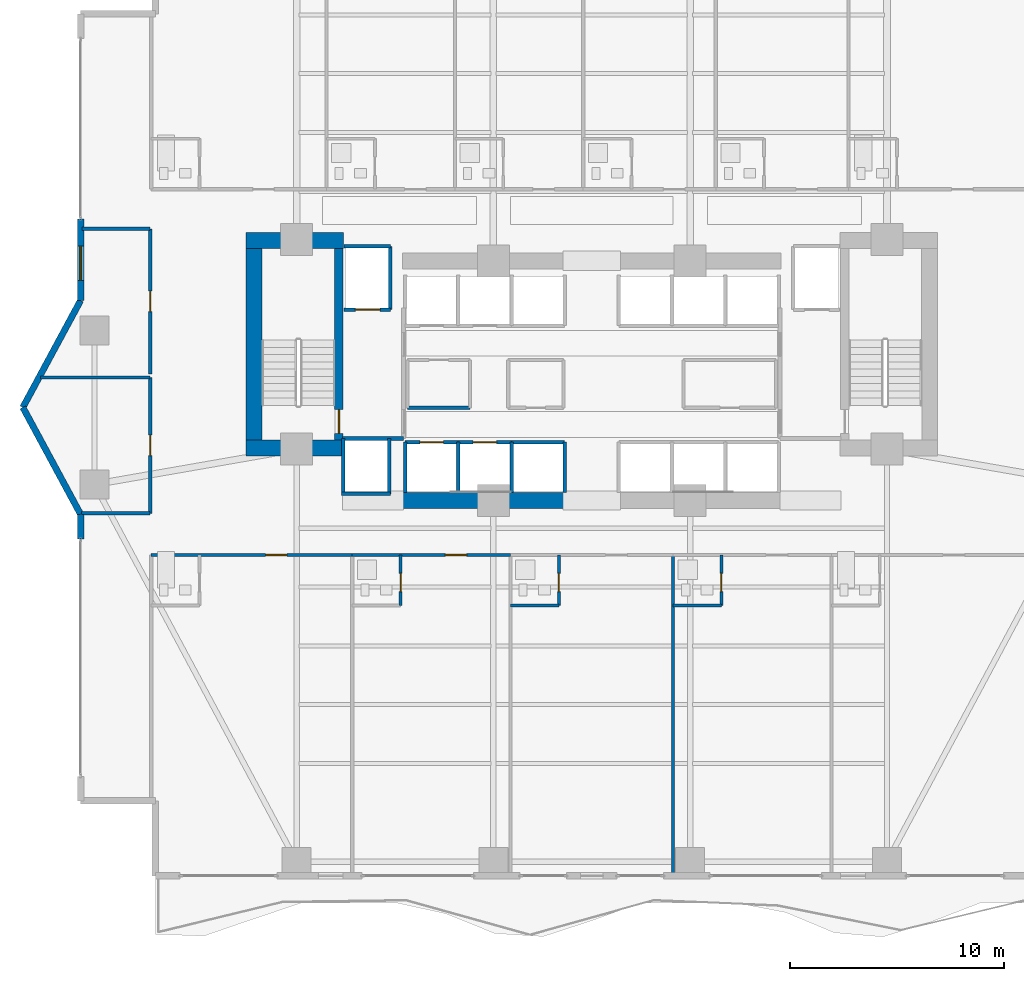
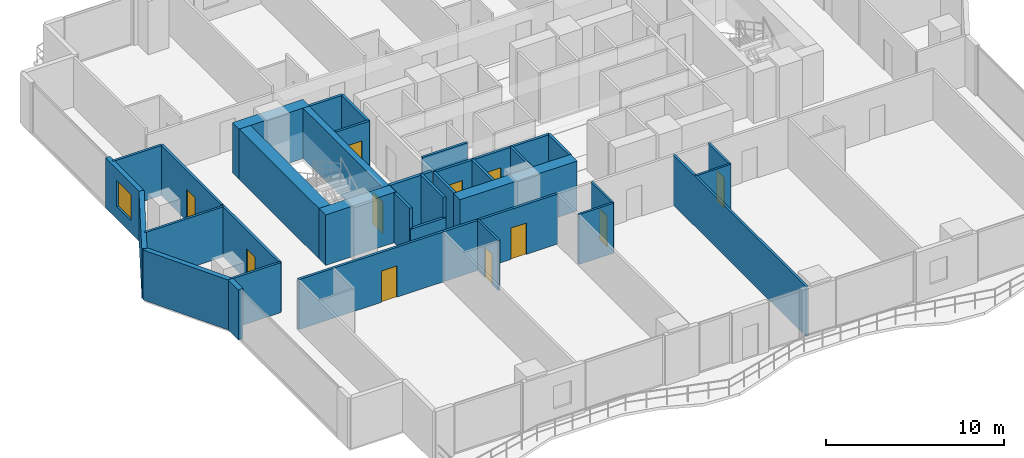
# One storey, part 20 of 27: 37 walls, 11 doors, 1 window, 12 openings.
"""IFC4 building model written with IfcOpenShell, lengths in metres."""

from ifc_helpers import new_model, si_unit, direction, frame, frame_2d, origin, place, context, subcontext, project, spatial, rectangle, extrude, material, layer, layer_set, type_object, element, fill, save


model = new_model("IFC4")

# Units and contexts
model_context = context("Model", 3, precision=1e-05, world=origin(), true_north=direction((0.0, 1.0)))
body_context = subcontext(model_context, "Body", "Model", "MODEL_VIEW")
ifc_project = project(units=[si_unit("LENGTHUNIT", "METRE"), si_unit("AREAUNIT", "SQUARE_METRE"), si_unit("VOLUMEUNIT", "CUBIC_METRE"), si_unit("PLANEANGLEUNIT", "RADIAN"), si_unit("MASSUNIT", "GRAM", prefix="KILO")], contexts=[model_context])

# Site, building, storey
site_placement = place(None, origin())
site = spatial("IfcSite", under=ifc_project, at=site_placement, CompositionType="ELEMENT")
building_placement = place(site_placement, origin())
building = spatial("IfcBuilding", under=site, at=building_placement, Name="Zuhayl Quay Hotel", CompositionType="ELEMENT")
storey_placement = place(building_placement, frame((0.0, 0.0, 102.949951171875)))
storey = spatial("IfcBuildingStorey", under=building, at=storey_placement, Name="L25", CompositionType="ELEMENT", Elevation=102.949951171875)

# Walls
ifc_material_1 = material(Name="Concrete C60/75", Category="concrete")
ifc_layer_1 = layer(ifc_material_1, 0.75, Name="Concrete C60/75", Category="concrete")
ifc_layer_set_1 = layer_set([ifc_layer_1], Name="Concrete C60/75")
wall_type_1 = type_object("IfcWallType", Name="WL_CORE_750", PredefinedType="SHEAR", material=ifc_layer_set_1)
wall_1_placement = place(storey_placement, frame((-16.159912109375, 14.304931640625, 0.0), z_axis=(0.0, 0.0, 1.0), x_axis=(1.0, 0.0, 0.0)))
element("IfcWall", 1, at=wall_1_placement, inside=storey, type_object=wall_type_1, Name="L25 Core Shear Wall CW_NW", PredefinedType="SHEAR", context=body_context, shape_type="SweptSolid", body=[
    extrude(rectangle(XDim=4.559814453125, YDim=0.75, at=frame_2d((2.27978515625, 0.0))), origin(), (0.0, 0.0, 1.0), 3.4599609375),
])
wall_2_placement = place(storey_placement, frame((-15.784912109375, 4.969970703125, 0.0), z_axis=(0.0, 0.0, 1.0), x_axis=(0.0, 1.0, 0.0)))
element("IfcWall", 2, at=wall_2_placement, inside=storey, type_object=wall_type_1, Name="L25 Core Shear Wall CW_W", PredefinedType="SHEAR", context=body_context, shape_type="SweptSolid", body=[
    extrude(rectangle(XDim=8.9599609375, YDim=0.75, at=frame_2d((4.47998046875, 0.0))), origin(), (0.0, 0.0, 1.0), 3.4599609375),
])
wall_3_placement = place(storey_placement, frame((-16.159912109375, 4.594970703125, 0.0), z_axis=(0.0, 0.0, 1.0), x_axis=(1.0, 0.0, 0.0)))
element("IfcWall", 3, at=wall_3_placement, inside=storey, type_object=wall_type_1, Name="L25 Core Shear Wall CW_SW", PredefinedType="SHEAR", context=body_context, shape_type="SweptSolid", body=[
    extrude(rectangle(XDim=4.559814453125, YDim=0.75, at=frame_2d((2.27978515625, 0.0))), origin(), (0.0, 0.0, 1.0), 3.4599609375),
])
wall_4_placement = place(storey_placement, frame((-8.85009765625, 2.14990234375, 0.0), z_axis=(0.0, 0.0, 1.0), x_axis=(1.0, 0.0, 0.0)))
element("IfcWall", 4, at=wall_4_placement, inside=storey, type_object=wall_type_1, Name="L25 Core Shear Wall CW_SC_W", PredefinedType="SHEAR", context=body_context, shape_type="SweptSolid", body=[
    extrude(rectangle(XDim=7.60009765625, YDim=0.75, at=frame_2d((3.800048828125, 0.0))), origin(), (0.0, 0.0, 1.0), 3.429931640625),
])
ifc_material_2 = material(Name="Precast concrete C45/55", Category="concrete")
ifc_layer_2 = layer(ifc_material_2, 0.300048828125, Name="Precast concrete C45/55", Category="concrete")
ifc_layer_set_2 = layer_set([ifc_layer_2], Name="Precast concrete C45/55")
wall_type_2 = type_object("IfcWallType", Name="WL_EXT_300", PredefinedType="STANDARD", material=ifc_layer_set_2)
wall_5_placement = place(storey_placement, frame((-23.89990234375, 0.35009765625, 0.0), z_axis=(0.0, 0.0, 1.0), x_axis=(0.0, 1.0, 0.0)))
element("IfcWall", 5, at=wall_5_placement, inside=storey, type_object=wall_type_2, Name="L25 Exterior Precast Wall ENV_L25_E02_EW2", PredefinedType="STANDARD", context=body_context, shape_type="SweptSolid", body=[
    extrude(rectangle(XDim=1.14990234375, YDim=0.300048828125, at=frame_2d((0.574951171875, 0.0))), origin(), (0.0, 0.0, 1.0), 3.429931640625),
])
for number, where, z_axis, x_axis, name in (
    (6, (-23.89990234375, 1.5, 0.0), (0.0, 0.0, 1.0), (-0.475175525499, 0.879891027325, 0.0), "L25 Exterior Precast Wall ENV_L25_EW03"),
    (7, (-26.60009765625, 6.5, 0.0), (0.0, 0.0, 1.0), (0.475175525499, 0.879891027325, 0.0), "L25 Exterior Precast Wall ENV_L25_EW04"),
):
    element("IfcWall", number, at=place(storey_placement, frame(where, z_axis=z_axis, x_axis=x_axis)), inside=storey, type_object=wall_type_2, Name=name, PredefinedType="STANDARD", context=body_context, shape_type="SweptSolid", body=[
        extrude(rectangle(XDim=5.6826171875, YDim=0.300048828125, at=frame_2d((2.84130859375, 0.0))), origin(), (0.0, 0.0, 1.0), 3.429931640625),
    ])

# Wall, opening, window
wall_6_placement = place(storey_placement, frame((-23.89990234375, 11.5, 0.0), z_axis=(0.0, 0.0, 1.0), x_axis=(0.0, 1.0, 0.0)))
wall_6 = element("IfcWall", 8, at=wall_6_placement, inside=storey, type_object=wall_type_2, Name="L25 Exterior Precast Wall ENV_L25_E05_EW1", PredefinedType="STANDARD", context=body_context, shape_type="SweptSolid", body=[
    extrude(rectangle(XDim=3.800048828125, YDim=0.300048828125, at=frame_2d((1.89990234375, 0.0))), origin(), (0.0, 0.0, 1.0), 3.429931640625),
])
opening_1_placement = place(wall_6_placement, frame((0.93505859375, 0.0, 0.85009765625)))
opening_1 = element("IfcOpeningElement", 9, at=opening_1_placement, cuts=wall_6, Name="Opening W01", PredefinedType="OPENING", context=body_context, shape_type="SweptSolid", body=[
    extrude(rectangle(XDim=1.60009765625, YDim=1.800048828125, at=frame_2d((0.800048828125, 0.89990234375))), frame((0.0, 0.159912109375, 0.0), z_axis=(0.0, -1.0, 0.0), x_axis=(1.0, 0.0, 0.0)), (0.0, 0.0, 1.0), 0.320068359375),
])
ifc_material_3 = material(Name="Dark Ceramic-Fritted Solar Glass", Category="glass")
window_type = type_object("IfcWindowType", Name="WN_OPERABLE_1600", PartitioningType="DOUBLE_PANEL_VERTICAL", PredefinedType="WINDOW", material=ifc_material_3)
window_placement = place(opening_1_placement, origin())
window = element("IfcWindow", 10, at=window_placement, inside=storey, type_object=window_type, Name="L25 Operable Facade Window 1-1", OverallHeight=1.800048828125, OverallWidth=1.60009765625, PartitioningType="SINGLE_PANEL", PredefinedType="WINDOW", context=body_context, shape_type="SweptSolid", body=[
    extrude(rectangle(XDim=1.60009765625, YDim=1.800048828125, at=frame_2d((0.800048828125, 0.89990234375))), frame((0.0, 0.030029296875, 0.0), z_axis=(0.0, -1.0, 0.0), x_axis=(1.0, 0.0, 0.0)), (0.0, 0.0, 1.0), 0.06005859375),
])
fill(opening_1, window)

# Walls
ifc_material_4 = material(Name="Acoustic Gypsum Partition STC-58")
ifc_layer_3 = layer(ifc_material_4, 0.14990234375, Name="Acoustic Gypsum Partition STC-58")
ifc_layer_set_3 = layer_set([ifc_layer_3], Name="Acoustic Gypsum Partition STC-58")
wall_type_3 = type_object("IfcWallType", Name="WL_PART_150", PredefinedType="PARTITIONING", material=ifc_layer_set_3)
wall_7_placement = place(storey_placement, frame((-8.610107421875, 6.47998046875, 0.0), z_axis=(0.0, 0.0, 1.0), x_axis=(1.0, 0.0, 0.0)))
element("IfcWall", 11, at=wall_7_placement, inside=storey, type_object=wall_type_3, Name="L25 Partition IW_L25_CORE_HK_S", PredefinedType="PARTITIONING", context=body_context, shape_type="SweptSolid", body=[
    extrude(rectangle(XDim=2.920166015625, YDim=0.14990234375, at=frame_2d((1.4599609375, 0.0))), origin(), (0.0, 0.0, 1.0), 3.429931640625),
])
wall_8_placement = place(storey_placement, frame((3.800048828125, -15.320068359375, 0.0), z_axis=(0.0, 0.0, 1.0), x_axis=(0.0, 1.0, 0.0)))
element("IfcWall", 12, at=wall_8_placement, inside=storey, type_object=wall_type_3, Name="L25 Partition IW_L25_SU03_E", PredefinedType="PARTITIONING", context=body_context, shape_type="SweptSolid", body=[
    extrude(rectangle(XDim=14.920166015625, YDim=0.14990234375, at=frame_2d((7.4599609375, 0.0))), origin(), (0.0, 0.0, 1.0), 3.429931640625),
])
wall_9_placement = place(storey_placement, frame((-23.866943359375, 1.550048828125, 0.0), z_axis=(0.0, 0.0, 1.0), x_axis=(1.0, 0.0, 0.0)))
element("IfcWall", 13, at=wall_9_placement, inside=storey, type_object=wall_type_3, Name="L25 Partition IW_L25_WPROW_1_S", PredefinedType="PARTITIONING", context=body_context, shape_type="SweptSolid", body=[
    extrude(rectangle(XDim=3.217041015625, YDim=0.14990234375, at=frame_2d((1.6083984375, 0.0))), origin(), (0.0, 0.0, 1.0), 3.429931640625),
])
wall_10_placement = place(storey_placement, frame((-25.783935546875, 7.89990234375, 0.0), z_axis=(0.0, 0.0, 1.0), x_axis=(1.0, 0.0, 0.0)))
element("IfcWall", 14, at=wall_10_placement, inside=storey, type_object=wall_type_3, Name="L25 Partition IW_L25_WPROW_1_N", PredefinedType="PARTITIONING", context=body_context, shape_type="SweptSolid", body=[
    extrude(rectangle(XDim=5.134033203125, YDim=0.14990234375, at=frame_2d((2.56689453125, 0.0))), origin(), (0.0, 0.0, 1.0), 3.429931640625),
])
wall_11_placement = place(storey_placement, frame((-23.840087890625, 14.85009765625, 0.0), z_axis=(0.0, 0.0, 1.0), x_axis=(1.0, 0.0, 0.0)))
element("IfcWall", 15, at=wall_11_placement, inside=storey, type_object=wall_type_3, Name="L25 Partition IW_L25_WPROW_2_N", PredefinedType="PARTITIONING", context=body_context, shape_type="SweptSolid", body=[
    extrude(rectangle(XDim=3.190185546875, YDim=0.14990234375, at=frame_2d((1.59521484375, 0.0))), origin(), (0.0, 0.0, 1.0), 3.429931640625),
])

# Wall, opening, door
ifc_layer_4 = layer(ifc_material_4, 0.159912109375, Name="Acoustic Gypsum Partition STC-58")
ifc_layer_set_4 = layer_set([ifc_layer_4], Name="Acoustic Gypsum Partition STC-58")
wall_type_4 = type_object("IfcWallType", Name="WL_PART_CORR_160", PredefinedType="PARTITIONING", material=ifc_layer_set_4)
wall_12_placement = place(storey_placement, frame((-20.60009765625, -0.39990234375, 0.0), z_axis=(0.0, 0.0, 1.0), x_axis=(1.0, 0.0, 0.0)))
wall_12 = element("IfcWall", 16, at=wall_12_placement, inside=storey, type_object=wall_type_4, Name="L25 Partition IW_L25_SU01_COR", PredefinedType="PARTITIONING", context=body_context, shape_type="SweptSolid", body=[
    extrude(rectangle(XDim=9.400146484375, YDim=0.159912109375, at=frame_2d((4.7001953125, 0.0))), origin(), (0.0, 0.0, 1.0), 3.429931640625),
])
opening_2_placement = place(wall_12_placement, frame((5.35009765625, 0.0, 0.0)))
opening_2 = element("IfcOpeningElement", 17, at=opening_2_placement, cuts=wall_12, Name="Opening D03L", PredefinedType="OPENING", context=body_context, shape_type="SweptSolid", body=[
    extrude(rectangle(XDim=1.0, YDim=2.14990234375, at=frame_2d((0.5, 1.074951171875))), frame((0.0, 0.08984375, 0.0), z_axis=(0.0, -1.0, 0.0), x_axis=(1.0, 0.0, 0.0)), (0.0, 0.0, 1.0), 0.179931640625),
])
ifc_material_5 = material(Name="Solid Walnut Acoustic Fire Door")
door_type_1 = type_object("IfcDoorType", Name="DR_SUITE_1000", OperationType="NOTDEFINED", PredefinedType="DOOR", material=ifc_material_5)
door_1_placement = place(opening_2_placement, origin())
door_1 = element("IfcDoor", 18, at=door_1_placement, inside=storey, type_object=door_type_1, Name="L25 City-View Junior Suite L25-01 Entrance Door", OperationType="SINGLE_SWING_RIGHT", OverallHeight=2.14990234375, OverallWidth=1.0, PredefinedType="DOOR", context=body_context, shape_type="SweptSolid", body=[
    extrude(rectangle(XDim=1.0, YDim=2.14990234375, at=frame_2d((0.5, 1.074951171875))), frame((0.0, 0.02490234375, 0.0), z_axis=(0.0, -1.0, 0.0), x_axis=(1.0, 0.0, 0.0)), (0.0, 0.0, 1.0), 0.050048828125),
])
fill(opening_2, door_1)

wall_13_placement = place(storey_placement, frame((-11.199951171875, -0.39990234375, 0.0), z_axis=(0.0, 0.0, 1.0), x_axis=(1.0, 0.0, 0.0)))
wall_13 = element("IfcWall", 19, at=wall_13_placement, inside=storey, type_object=wall_type_4, Name="L25 Partition IW_L25_SU02_COR", PredefinedType="PARTITIONING", context=body_context, shape_type="SweptSolid", body=[
    extrude(rectangle(XDim=7.39990234375, YDim=0.159912109375, at=frame_2d((3.699951171875, 0.0))), origin(), (0.0, 0.0, 1.0), 3.429931640625),
])
opening_3_placement = place(wall_13_placement, frame((4.35009765625, 0.0, 0.0)))
opening_3 = element("IfcOpeningElement", 20, at=opening_3_placement, cuts=wall_13, Name="Opening D03L", PredefinedType="OPENING", context=body_context, shape_type="SweptSolid", body=[
    extrude(rectangle(XDim=1.0, YDim=2.14990234375, at=frame_2d((0.5, 1.074951171875))), frame((0.0, 0.08984375, 0.0), z_axis=(0.0, -1.0, 0.0), x_axis=(1.0, 0.0, 0.0)), (0.0, 0.0, 1.0), 0.179931640625),
])
door_2_placement = place(opening_3_placement, origin())
door_2 = element("IfcDoor", 21, at=door_2_placement, inside=storey, type_object=door_type_1, Name="L25 City-View Junior Suite L25-02 Entrance Door", OperationType="SINGLE_SWING_RIGHT", OverallHeight=2.14990234375, OverallWidth=1.0, PredefinedType="DOOR", context=body_context, shape_type="SweptSolid", body=[
    extrude(rectangle(XDim=1.0, YDim=2.14990234375, at=frame_2d((0.5, 1.074951171875))), frame((0.0, 0.02490234375, 0.0), z_axis=(0.0, -1.0, 0.0), x_axis=(1.0, 0.0, 0.0)), (0.0, 0.0, 1.0), 0.050048828125),
])
fill(opening_3, door_2)

wall_14_placement = place(storey_placement, frame((-20.64990234375, 1.550048828125, 0.0), z_axis=(0.0, 0.0, 1.0), x_axis=(0.0, 1.0, 0.0)))
wall_14 = element("IfcWall", 22, at=wall_14_placement, inside=storey, type_object=wall_type_4, Name="L25 Partition IW_L25_WPROW_1_E", PredefinedType="PARTITIONING", context=body_context, shape_type="SweptSolid", body=[
    extrude(rectangle(XDim=6.349853515625, YDim=0.159912109375, at=frame_2d((3.1748046875, 0.0))), origin(), (0.0, 0.0, 1.0), 3.429931640625),
])
opening_4_placement = place(wall_14_placement, frame((2.699951171875, 0.0, 0.0)))
opening_4 = element("IfcOpeningElement", 23, at=opening_4_placement, cuts=wall_14, Name="Opening D03", PredefinedType="OPENING", context=body_context, shape_type="SweptSolid", body=[
    extrude(rectangle(XDim=0.949951171875, YDim=2.14990234375, at=frame_2d((0.47509765625, 1.074951171875))), frame((0.0, 0.08984375, 0.0), z_axis=(0.0, -1.0, 0.0), x_axis=(1.0, 0.0, 0.0)), (0.0, 0.0, 1.0), 0.179931640625),
])
door_type_2 = type_object("IfcDoorType", Name="DR_SUITE_950", OperationType="NOTDEFINED", PredefinedType="DOOR", material=ifc_material_5)
door_3_placement = place(opening_4_placement, origin())
door_3 = element("IfcDoor", 24, at=door_3_placement, inside=storey, type_object=door_type_2, Name="L25 West Prow Office L25 Door", OperationType="SINGLE_SWING_LEFT", OverallHeight=2.14990234375, OverallWidth=0.949951171875, PredefinedType="DOOR", context=body_context, shape_type="SweptSolid", body=[
    extrude(rectangle(XDim=0.949951171875, YDim=2.14990234375, at=frame_2d((0.47509765625, 1.074951171875))), frame((0.0, 0.02490234375, 0.0), z_axis=(0.0, -1.0, 0.0), x_axis=(1.0, 0.0, 0.0)), (0.0, 0.0, 1.0), 0.050048828125),
])
fill(opening_4, door_3)

wall_15_placement = place(storey_placement, frame((-20.64990234375, 8.06005859375, 0.0), z_axis=(0.0, 0.0, 1.0), x_axis=(0.0, 1.0, 0.0)))
wall_15 = element("IfcWall", 25, at=wall_15_placement, inside=storey, type_object=wall_type_4, Name="L25 Partition IW_L25_WPROW_2_E", PredefinedType="PARTITIONING", context=body_context, shape_type="SweptSolid", body=[
    extrude(rectangle(XDim=6.7900390625, YDim=0.159912109375, at=frame_2d((3.39501953125, 0.0))), origin(), (0.0, 0.0, 1.0), 3.429931640625),
])
opening_5_placement = place(wall_15_placement, frame((2.919921875, 0.0, 0.0)))
opening_5 = element("IfcOpeningElement", 26, at=opening_5_placement, cuts=wall_15, Name="Opening D03", PredefinedType="OPENING", context=body_context, shape_type="SweptSolid", body=[
    extrude(rectangle(XDim=0.949951171875, YDim=2.14990234375, at=frame_2d((0.47509765625, 1.074951171875))), frame((0.0, 0.08984375, 0.0), z_axis=(0.0, -1.0, 0.0), x_axis=(1.0, 0.0, 0.0)), (0.0, 0.0, 1.0), 0.179931640625),
])
door_4_placement = place(opening_5_placement, origin())
door_4 = element("IfcDoor", 27, at=door_4_placement, inside=storey, type_object=door_type_2, Name="L25 Sunset Lounge L25 Door", OperationType="SINGLE_SWING_RIGHT", OverallHeight=2.14990234375, OverallWidth=0.949951171875, PredefinedType="DOOR", context=body_context, shape_type="SweptSolid", body=[
    extrude(rectangle(XDim=0.949951171875, YDim=2.14990234375, at=frame_2d((0.47509765625, 1.074951171875))), frame((0.0, 0.02490234375, 0.0), z_axis=(0.0, -1.0, 0.0), x_axis=(1.0, 0.0, 0.0)), (0.0, 0.0, 1.0), 0.050048828125),
])
fill(opening_5, door_4)

ifc_material_6 = material(Name="Moisture-Resistant Sanitarychase Gypsum")
ifc_layer_5 = layer(ifc_material_6, 0.135009765625, Name="Moisture-Resistant Sanitarychase Gypsum")
ifc_layer_set_5 = layer_set([ifc_layer_5], Name="Moisture-Resistant Sanitarychase Gypsum")
wall_type_5 = type_object("IfcWallType", Name="WL_PART_PLUMB_150", PredefinedType="PLUMBINGWALL", material=ifc_layer_set_5)
wall_16_placement = place(storey_placement, frame((-8.93994140625, -2.760009765625, 0.0), z_axis=(0.0, 0.0, 1.0), x_axis=(0.0, 1.0, 0.0)))
wall_16 = element("IfcWall", 28, at=wall_16_placement, inside=storey, type_object=wall_type_5, Name="L25 Partition IW_L25_SU02_BE", PredefinedType="PLUMBINGWALL", context=body_context, shape_type="SweptSolid", body=[
    extrude(rectangle(XDim=2.360107421875, YDim=0.135009765625, at=frame_2d((1.18017578125, 0.0))), origin(), (0.0, 0.0, 1.0), 3.429931640625),
])
opening_6_placement = place(wall_16_placement, frame((0.64990234375, 0.0, 0.0)))
opening_6 = element("IfcOpeningElement", 29, at=opening_6_placement, cuts=wall_16, Name="Opening D04", PredefinedType="OPENING", context=body_context, shape_type="SweptSolid", body=[
    extrude(rectangle(XDim=0.85009765625, YDim=2.10009765625, at=frame_2d((0.425048828125, 1.050048828125))), frame((0.0, 0.077392578125, 0.0), z_axis=(0.0, -1.0, 0.0), x_axis=(1.0, 0.0, 0.0)), (0.0, 0.0, 1.0), 0.155029296875),
])
ifc_material_7 = material(Name="Moisture-Resistant Walnut Veneer")
door_type_3 = type_object("IfcDoorType", Name="DR_BATH_850", OperationType="NOTDEFINED", PredefinedType="DOOR", material=ifc_material_7)
door_5_placement = place(opening_6_placement, origin())
door_5 = element("IfcDoor", 30, at=door_5_placement, inside=storey, type_object=door_type_3, Name="L25 City-View Junior Suite L25-02 En-Suite Door", OperationType="SINGLE_SWING_LEFT", OverallHeight=2.10009765625, OverallWidth=0.85009765625, PredefinedType="DOOR", context=body_context, shape_type="SweptSolid", body=[
    extrude(rectangle(XDim=0.85009765625, YDim=2.10009765625, at=frame_2d((0.425048828125, 1.050048828125))), frame((0.0, 0.02490234375, 0.0), z_axis=(0.0, -1.0, 0.0), x_axis=(1.0, 0.0, 0.0)), (0.0, 0.0, 1.0), 0.050048828125),
])
fill(opening_6, door_5)

wall_17_placement = place(storey_placement, frame((-1.5400390625, -2.760009765625, 0.0), z_axis=(0.0, 0.0, 1.0), x_axis=(0.0, 1.0, 0.0)))
wall_17 = element("IfcWall", 31, at=wall_17_placement, inside=storey, type_object=wall_type_5, Name="L25 Partition IW_L25_SU03_BE", PredefinedType="PLUMBINGWALL", context=body_context, shape_type="SweptSolid", body=[
    extrude(rectangle(XDim=2.360107421875, YDim=0.135009765625, at=frame_2d((1.18017578125, 0.0))), origin(), (0.0, 0.0, 1.0), 3.429931640625),
])
opening_7_placement = place(wall_17_placement, frame((0.64990234375, 0.0, 0.0)))
opening_7 = element("IfcOpeningElement", 32, at=opening_7_placement, cuts=wall_17, Name="Opening D04", PredefinedType="OPENING", context=body_context, shape_type="SweptSolid", body=[
    extrude(rectangle(XDim=0.85009765625, YDim=2.10009765625, at=frame_2d((0.425048828125, 1.050048828125))), frame((0.0, 0.077392578125, 0.0), z_axis=(0.0, -1.0, 0.0), x_axis=(1.0, 0.0, 0.0)), (0.0, 0.0, 1.0), 0.155029296875),
])
door_6_placement = place(opening_7_placement, origin())
door_6 = element("IfcDoor", 33, at=door_6_placement, inside=storey, type_object=door_type_3, Name="L25 City-View Junior Suite L25-03 En-Suite Door", OperationType="SINGLE_SWING_LEFT", OverallHeight=2.10009765625, OverallWidth=0.85009765625, PredefinedType="DOOR", context=body_context, shape_type="SweptSolid", body=[
    extrude(rectangle(XDim=0.85009765625, YDim=2.10009765625, at=frame_2d((0.425048828125, 1.050048828125))), frame((0.0, 0.02490234375, 0.0), z_axis=(0.0, -1.0, 0.0), x_axis=(1.0, 0.0, 0.0)), (0.0, 0.0, 1.0), 0.050048828125),
])
fill(opening_7, door_6)

wall_18_placement = place(storey_placement, frame((6.06005859375, -2.760009765625, 0.0), z_axis=(0.0, 0.0, 1.0), x_axis=(0.0, 1.0, 0.0)))
wall_18 = element("IfcWall", 34, at=wall_18_placement, inside=storey, type_object=wall_type_5, Name="L25 Partition IW_L25_SU04_BE", PredefinedType="PLUMBINGWALL", context=body_context, shape_type="SweptSolid", body=[
    extrude(rectangle(XDim=2.360107421875, YDim=0.135009765625, at=frame_2d((1.18017578125, 0.0))), origin(), (0.0, 0.0, 1.0), 3.429931640625),
])
opening_8_placement = place(wall_18_placement, frame((0.64990234375, 0.0, 0.0)))
opening_8 = element("IfcOpeningElement", 35, at=opening_8_placement, cuts=wall_18, Name="Opening D04", PredefinedType="OPENING", context=body_context, shape_type="SweptSolid", body=[
    extrude(rectangle(XDim=0.85009765625, YDim=2.10009765625, at=frame_2d((0.425048828125, 1.050048828125))), frame((0.0, 0.077392578125, 0.0), z_axis=(0.0, -1.0, 0.0), x_axis=(1.0, 0.0, 0.0)), (0.0, 0.0, 1.0), 0.155029296875),
])
door_7_placement = place(opening_8_placement, origin())
door_7 = element("IfcDoor", 36, at=door_7_placement, inside=storey, type_object=door_type_3, Name="L25 City-View Junior Suite L25-04 En-Suite Door", OperationType="SINGLE_SWING_LEFT", OverallHeight=2.10009765625, OverallWidth=0.85009765625, PredefinedType="DOOR", context=body_context, shape_type="SweptSolid", body=[
    extrude(rectangle(XDim=0.85009765625, YDim=2.10009765625, at=frame_2d((0.425048828125, 1.050048828125))), frame((0.0, 0.02490234375, 0.0), z_axis=(0.0, -1.0, 0.0), x_axis=(1.0, 0.0, 0.0)), (0.0, 0.0, 1.0), 0.050048828125),
])
fill(opening_8, door_7)

# Walls
for number, where, z_axis, x_axis, name in (
    (37, (-3.800048828125, -2.760009765625, 0.0), (0.0, 0.0, 1.0), (1.0, 0.0, 0.0), "L25 Partition IW_L25_SU03_BS"),
    (38, (3.800048828125, -2.760009765625, 0.0), (0.0, 0.0, 1.0), (1.0, 0.0, 0.0), "L25 Partition IW_L25_SU04_BS"),
):
    element("IfcWall", number, at=place(storey_placement, frame(where, z_axis=z_axis, x_axis=x_axis)), inside=storey, type_object=wall_type_5, Name=name, PredefinedType="PLUMBINGWALL", context=body_context, shape_type="SweptSolid", body=[
        extrude(rectangle(XDim=2.260009765625, YDim=0.135009765625, at=frame_2d((1.1298828125, 0.0))), origin(), (0.0, 0.0, 1.0), 3.429931640625),
    ])

# Wall, opening, door
ifc_material_8 = material(Name="Gypsum Fireboard Assembly EI-90")
ifc_layer_6 = layer(ifc_material_8, 0.1650390625, Name="Gypsum Fireboard Assembly EI-90")
ifc_layer_set_6 = layer_set([ifc_layer_6], Name="Gypsum Fireboard Assembly EI-90")
wall_type_6 = type_object("IfcWallType", Name="WL_PART_SHAFT_160", PredefinedType="PARTITIONING", material=ifc_layer_set_6)
wall_19_placement = place(storey_placement, frame((-11.580078125, 11.070068359375, 0.0), z_axis=(0.0, 0.0, 1.0), x_axis=(1.0, 0.0, 0.0)))
wall_19 = element("IfcWall", 39, at=wall_19_placement, inside=storey, type_object=wall_type_6, Name="L25 Partition IW_L25_SH_FL1_F", PredefinedType="PARTITIONING", context=body_context, shape_type="SweptSolid", body=[
    extrude(rectangle(XDim=2.16015625, YDim=0.1650390625, at=frame_2d((1.080078125, 0.0))), origin(), (0.0, 0.0, 1.0), 3.429931640625),
])
opening_9_placement = place(wall_19_placement, frame((0.530029296875, 0.0, 0.0)))
opening_9 = element("IfcOpeningElement", 40, at=opening_9_placement, cuts=wall_19, Name="Opening LD2", PredefinedType="OPENING", context=body_context, shape_type="SweptSolid", body=[
    extrude(rectangle(XDim=1.14990234375, YDim=2.25, at=frame_2d((0.574951171875, 1.125))), frame((0.0, 0.092529296875, 0.0), z_axis=(0.0, -1.0, 0.0), x_axis=(1.0, 0.0, 0.0)), (0.0, 0.0, 1.0), 0.18505859375),
])
ifc_material_9 = material(Name="Brushed Stainless Steel", Category="steel")
door_type_4 = type_object("IfcDoorType", Name="DR_LIFT_FF_1100", OperationType="SLIDING_TO_LEFT", PredefinedType="DOOR", material=ifc_material_9)
door_8_placement = place(opening_9_placement, origin())
door_8 = element("IfcDoor", 41, at=door_8_placement, inside=storey, type_object=door_type_4, Name="L25 Lift FL1 Sliding Landing Door", OperationType="SLIDING_TO_LEFT", OverallHeight=2.25, OverallWidth=1.14990234375, PredefinedType="DOOR", context=body_context, shape_type="SweptSolid", body=[
    extrude(rectangle(XDim=1.14990234375, YDim=2.25, at=frame_2d((0.574951171875, 1.125))), frame((0.0, 0.02490234375, 0.0), z_axis=(0.0, -1.0, 0.0), x_axis=(1.0, 0.0, 0.0)), (0.0, 0.0, 1.0), 0.050048828125),
])
fill(opening_9, door_8)

wall_20_placement = place(storey_placement, frame((-8.72998046875, 4.8798828125, 0.0), z_axis=(0.0, 0.0, 1.0), x_axis=(1.0, 0.0, 0.0)))
wall_20 = element("IfcWall", 42, at=wall_20_placement, inside=storey, type_object=wall_type_6, Name="L25 Partition IW_L25_SH_LP1_F", PredefinedType="PARTITIONING", context=body_context, shape_type="SweptSolid", body=[
    extrude(rectangle(XDim=2.47998046875, YDim=0.1650390625, at=frame_2d((1.239990234375, 0.0))), origin(), (0.0, 0.0, 1.0), 3.429931640625),
])
opening_10_placement = place(wall_20_placement, frame((0.68994140625, 0.0, 0.0)))
opening_10 = element("IfcOpeningElement", 43, at=opening_10_placement, cuts=wall_20, Name="Opening LD1", PredefinedType="OPENING", context=body_context, shape_type="SweptSolid", body=[
    extrude(rectangle(XDim=1.10009765625, YDim=2.25, at=frame_2d((0.550048828125, 1.125))), frame((0.0, 0.092529296875, 0.0), z_axis=(0.0, -1.0, 0.0), x_axis=(1.0, 0.0, 0.0)), (0.0, 0.0, 1.0), 0.18505859375),
])
door_type_5 = type_object("IfcDoorType", Name="DR_LIFT_PASS_1100", OperationType="SLIDING_TO_LEFT", PredefinedType="DOOR", material=ifc_material_9)
door_9_placement = place(opening_10_placement, origin())
door_9 = element("IfcDoor", 44, at=door_9_placement, inside=storey, type_object=door_type_5, Name="L25 Lift LP1 Sliding Landing Door", OperationType="SLIDING_TO_LEFT", OverallHeight=2.25, OverallWidth=1.10009765625, PredefinedType="DOOR", context=body_context, shape_type="SweptSolid", body=[
    extrude(rectangle(XDim=1.10009765625, YDim=2.25, at=frame_2d((0.550048828125, 1.125))), frame((0.0, 0.02490234375, 0.0), z_axis=(0.0, -1.0, 0.0), x_axis=(1.0, 0.0, 0.0)), (0.0, 0.0, 1.0), 0.050048828125),
])
fill(opening_10, door_9)

wall_21_placement = place(storey_placement, frame((-6.25, 4.8798828125, 0.0), z_axis=(0.0, 0.0, 1.0), x_axis=(1.0, 0.0, 0.0)))
wall_21 = element("IfcWall", 45, at=wall_21_placement, inside=storey, type_object=wall_type_6, Name="L25 Partition IW_L25_SH_LP2_F", PredefinedType="PARTITIONING", context=body_context, shape_type="SweptSolid", body=[
    extrude(rectangle(XDim=2.5, YDim=0.1650390625, at=frame_2d((1.25, 0.0))), origin(), (0.0, 0.0, 1.0), 3.429931640625),
])
opening_11_placement = place(wall_21_placement, frame((0.699951171875, 0.0, 0.0)))
opening_11 = element("IfcOpeningElement", 46, at=opening_11_placement, cuts=wall_21, Name="Opening LD1", PredefinedType="OPENING", context=body_context, shape_type="SweptSolid", body=[
    extrude(rectangle(XDim=1.10009765625, YDim=2.25, at=frame_2d((0.550048828125, 1.125))), frame((0.0, 0.092529296875, 0.0), z_axis=(0.0, -1.0, 0.0), x_axis=(1.0, 0.0, 0.0)), (0.0, 0.0, 1.0), 0.18505859375),
])
door_10_placement = place(opening_11_placement, origin())
door_10 = element("IfcDoor", 47, at=door_10_placement, inside=storey, type_object=door_type_5, Name="L25 Lift LP2 Sliding Landing Door", OperationType="SLIDING_TO_LEFT", OverallHeight=2.25, OverallWidth=1.10009765625, PredefinedType="DOOR", context=body_context, shape_type="SweptSolid", body=[
    extrude(rectangle(XDim=1.10009765625, YDim=2.25, at=frame_2d((0.550048828125, 1.125))), frame((0.0, 0.02490234375, 0.0), z_axis=(0.0, -1.0, 0.0), x_axis=(1.0, 0.0, 0.0)), (0.0, 0.0, 1.0), 0.050048828125),
])
fill(opening_11, door_10)

# Walls
wall_22_placement = place(storey_placement, frame((-9.419921875, 11.070068359375, 0.0), z_axis=(0.0, 0.0, 1.0), x_axis=(0.0, 1.0, 0.0)))
element("IfcWall", 48, at=wall_22_placement, inside=storey, type_object=wall_type_6, Name="L25 Partition IW_L25_SH_FL1_E", PredefinedType="PARTITIONING", context=body_context, shape_type="SweptSolid", body=[
    extrude(rectangle(XDim=2.9599609375, YDim=0.1650390625, at=frame_2d((1.47998046875, 0.0))), origin(), (0.0, 0.0, 1.0), 3.429931640625),
])
wall_23_placement = place(storey_placement, frame((-11.580078125, 14.030029296875, 0.0), z_axis=(0.0, 0.0, 1.0), x_axis=(1.0, 0.0, 0.0)))
element("IfcWall", 49, at=wall_23_placement, inside=storey, type_object=wall_type_6, Name="L25 Partition IW_L25_SH_FL1_B", PredefinedType="PARTITIONING", context=body_context, shape_type="SweptSolid", body=[
    extrude(rectangle(XDim=2.16015625, YDim=0.1650390625, at=frame_2d((1.080078125, 0.0))), origin(), (0.0, 0.0, 1.0), 3.429931640625),
])
for number, where, z_axis, x_axis, name in (
    (50, (-8.72998046875, 2.52001953125, 0.0), (0.0, 0.0, 1.0), (0.0, 1.0, 0.0), "L25 Partition IW_L25_SH_LP1_W"),
    (51, (-6.25, 2.52001953125, 0.0), (0.0, 0.0, 1.0), (0.0, 1.0, 0.0), "L25 Partition IW_L25_SH_LP1_E"),
    (52, (-3.75, 2.52001953125, 0.0), (0.0, 0.0, 1.0), (0.0, 1.0, 0.0), "L25 Partition IW_L25_SH_LP2_E"),
):
    element("IfcWall", number, at=place(storey_placement, frame(where, z_axis=z_axis, x_axis=x_axis)), inside=storey, type_object=wall_type_6, Name=name, PredefinedType="PARTITIONING", context=body_context, shape_type="SweptSolid", body=[
        extrude(rectangle(XDim=2.35986328125, YDim=0.1650390625, at=frame_2d((1.179931640625, 0.0))), origin(), (0.0, 0.0, 1.0), 3.429931640625),
    ])
wall_24_placement = place(storey_placement, frame((-3.75, 4.8798828125, 0.0), z_axis=(0.0, 0.0, 1.0), x_axis=(1.0, 0.0, 0.0)))
element("IfcWall", 53, at=wall_24_placement, inside=storey, type_object=wall_type_6, Name="L25 Partition IW_L25_SH_MP1_F", PredefinedType="PARTITIONING", context=body_context, shape_type="SweptSolid", body=[
    extrude(rectangle(XDim=2.47998046875, YDim=0.1650390625, at=frame_2d((1.239990234375, 0.0))), origin(), (0.0, 0.0, 1.0), 3.429931640625),
])
wall_25_placement = place(storey_placement, frame((-1.27001953125, 2.52001953125, 0.0), z_axis=(0.0, 0.0, 1.0), x_axis=(0.0, 1.0, 0.0)))
element("IfcWall", 54, at=wall_25_placement, inside=storey, type_object=wall_type_6, Name="L25 Partition IW_L25_SH_MP1_E", PredefinedType="PARTITIONING", context=body_context, shape_type="SweptSolid", body=[
    extrude(rectangle(XDim=2.35986328125, YDim=0.1650390625, at=frame_2d((1.179931640625, 0.0))), origin(), (0.0, 0.0, 1.0), 3.429931640625),
])
wall_26_placement = place(storey_placement, frame((-11.6298828125, 2.469970703125, 0.0), z_axis=(0.0, 0.0, 1.0), x_axis=(0.0, 1.0, 0.0)))
element("IfcWall", 55, at=wall_26_placement, inside=storey, type_object=wall_type_6, Name="L25 Partition IW_L25_RISER_W", PredefinedType="PARTITIONING", context=body_context, shape_type="SweptSolid", body=[
    extrude(rectangle(XDim=2.580078125, YDim=0.1650390625, at=frame_2d((1.2900390625, 0.0))), origin(), (0.0, 0.0, 1.0), 3.429931640625),
])
wall_27_placement = place(storey_placement, frame((-11.7099609375, 2.469970703125, 0.0), z_axis=(0.0, 0.0, 1.0), x_axis=(1.0, 0.0, 0.0)))
element("IfcWall", 56, at=wall_27_placement, inside=storey, type_object=wall_type_6, Name="L25 Partition IW_L25_RISER_S", PredefinedType="PARTITIONING", context=body_context, shape_type="SweptSolid", body=[
    extrude(rectangle(XDim=2.31005859375, YDim=0.1650390625, at=frame_2d((1.155029296875, 0.0))), origin(), (0.0, 0.0, 1.0), 2.030029296875),
])
ifc_layer_7 = layer(ifc_material_8, 0.179931640625, Name="Gypsum Fireboard Assembly EI-90")
ifc_layer_set_7 = layer_set([ifc_layer_7], Name="Gypsum Fireboard Assembly EI-90")
wall_type_7 = type_object("IfcWallType", Name="WL_PART_SHAFT_180", PredefinedType="PARTITIONING", material=ifc_layer_set_7)
wall_28_placement = place(storey_placement, frame((-9.469970703125, 2.449951171875, 0.0), z_axis=(0.0, 0.0, 1.0), x_axis=(0.0, 1.0, 0.0)))
element("IfcWall", 57, at=wall_28_placement, inside=storey, type_object=wall_type_7, Name="L25 Partition IW_L25_RISER_E", PredefinedType="PARTITIONING", context=body_context, shape_type="SweptSolid", body=[
    extrude(rectangle(XDim=2.60009765625, YDim=0.179931640625, at=frame_2d((1.300048828125, 0.0))), origin(), (0.0, 0.0, 1.0), 3.429931640625),
])
ifc_material_10 = material(Name="Gypsum Fireboard Assembly EI-120")
ifc_layer_8 = layer(ifc_material_10, 0.199951171875, Name="Gypsum Fireboard Assembly EI-120")
ifc_layer_set_8 = layer_set([ifc_layer_8], Name="Gypsum Fireboard Assembly EI-120")
wall_type_8 = type_object("IfcWallType", Name="WL_PART_SHAFT_200", PredefinedType="PARTITIONING", material=ifc_layer_set_8)
wall_29_placement = place(storey_placement, frame((-11.64990234375, 5.050048828125, 0.0), z_axis=(0.0, 0.0, 1.0), x_axis=(1.0, 0.0, 0.0)))
element("IfcWall", 58, at=wall_29_placement, inside=storey, type_object=wall_type_8, Name="L25 Partition IW_L25_FSAE_W_S", PredefinedType="PARTITIONING", context=body_context, shape_type="SweptSolid", body=[
    extrude(rectangle(XDim=2.849853515625, YDim=0.199951171875, at=frame_2d((1.4248046875, 0.0))), origin(), (0.0, 0.0, 1.0), 3.429931640625),
])

# Wall, opening, door
ifc_layer_9 = layer(ifc_material_1, 0.39990234375, Name="Concrete C60/75", Category="concrete")
ifc_layer_set_9 = layer_set([ifc_layer_9], Name="Concrete C60/75")
wall_type_9 = type_object("IfcWallType", Name="WL_STAIR_400", PredefinedType="SHEAR", material=ifc_layer_set_9)
wall_30_placement = place(storey_placement, frame((-11.820068359375, 4.969970703125, 0.0), z_axis=(0.0, 0.0, 1.0), x_axis=(0.0, 1.0, 0.0)))
wall_30 = element("IfcWall", 59, at=wall_30_placement, inside=storey, type_object=wall_type_9, Name="L25 Core Shear Wall SW_ST1", PredefinedType="SHEAR", context=body_context, shape_type="SweptSolid", body=[
    extrude(rectangle(XDim=8.9599609375, YDim=0.39990234375, at=frame_2d((4.47998046875, 0.0))), origin(), (0.0, 0.0, 1.0), 3.4599609375),
])
opening_12_placement = place(wall_30_placement, frame((0.31005859375, 0.0, 0.0)))
opening_12 = element("IfcOpeningElement", 60, at=opening_12_placement, cuts=wall_30, Name="Opening D01", PredefinedType="OPENING", context=body_context, shape_type="SweptSolid", body=[
    extrude(rectangle(XDim=1.1201171875, YDim=2.219970703125, at=frame_2d((0.56005859375, 1.10986328125))), frame((0.0, 0.2099609375, 0.0), z_axis=(0.0, -1.0, 0.0), x_axis=(1.0, 0.0, 0.0)), (0.0, 0.0, 1.0), 0.419921875),
])
ifc_material_11 = material(Name="Steel ASTM A992 Grade 50", Category="steel")
door_type_6 = type_object("IfcDoorType", Name="DR_STAIR_90_1100", OperationType="NOTDEFINED", PredefinedType="DOOR", material=ifc_material_11)
door_11_placement = place(opening_12_placement, origin())
door_11 = element("IfcDoor", 61, at=door_11_placement, inside=storey, type_object=door_type_6, Name="L25 Smokeproof Exit Stair ST1 Door", OperationType="SINGLE_SWING_LEFT", OverallHeight=2.219970703125, OverallWidth=1.1201171875, PredefinedType="DOOR", context=body_context, shape_type="SweptSolid", body=[
    extrude(rectangle(XDim=1.1201171875, YDim=2.219970703125, at=frame_2d((0.56005859375, 1.10986328125))), frame((0.0, 0.02490234375, 0.0), z_axis=(0.0, -1.0, 0.0), x_axis=(1.0, 0.0, 0.0)), (0.0, 0.0, 1.0), 0.050048828125),
])
fill(opening_12, door_11)

save(model, "model.ifc")
